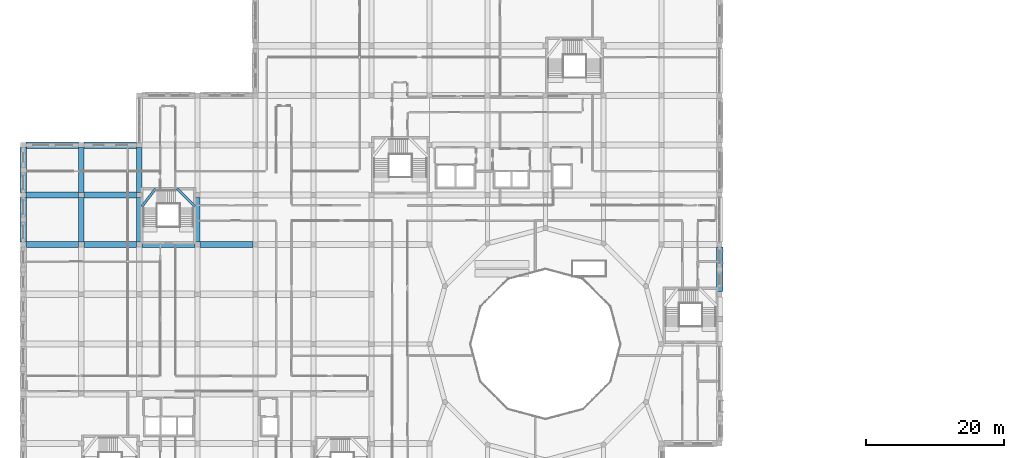
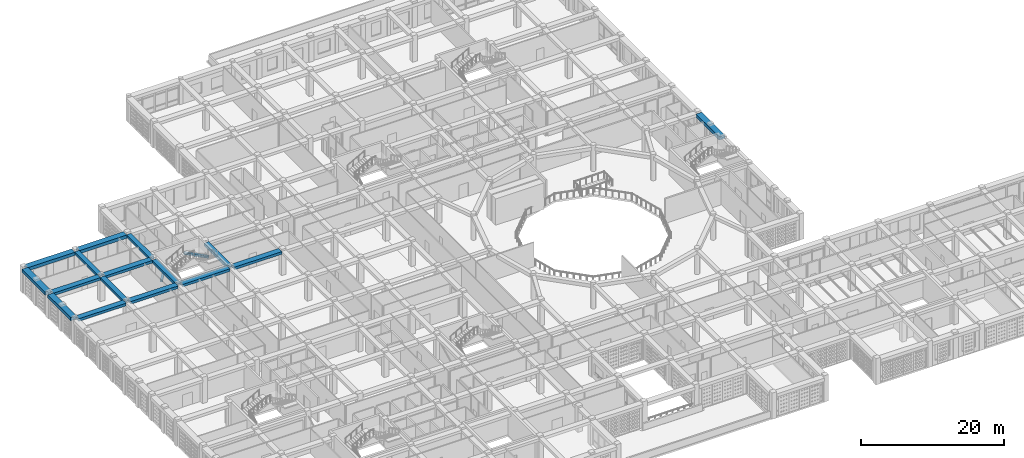
# One storey, part 31 of 111: 18 beams.
"""IFC4 building model written with IfcOpenShell, lengths in metres."""

import ifcopenshell
import ifcopenshell.guid

model = None  # the IFC model being written
_history = None  # IfcOwnerHistory: only IFC2X3 demands one
_inside = {}  # id of a spatial element -> (the spatial element, [elements in it])
_under = {}  # id of a project, library or spatial element -> (it, [spatial elements below it])
_declared = {}  # id of a project -> (the project, [libraries it declares])
_typed = {}  # id of a type object -> (the type object, [elements of that type])
_made_of = {}  # id of a material, layer set ... -> (it, [elements and type objects made of it])


def new_model(schema):
    """Start an empty IFC model of exactly this schema.

    Asked for "IFC4X3", IfcOpenShell would pick the latest addendum, in which some entities
    have other attributes; the version numbers below select the first issue.
    IFC2X3 requires an IfcOwnerHistory on every rooted entity: one is made here for all.
    """
    global model, _history
    if schema == "IFC4X3":
        model = ifcopenshell.file(schema_version=(4, 3, 0, 0))
    else:
        model = ifcopenshell.file(schema=schema)
    _inside.clear()
    _under.clear()
    _declared.clear()
    _typed.clear()
    _made_of.clear()
    _history = None
    if model.schema == "IFC2X3":
        org = make("IfcOrganization", Name="unknown")
        user = make(
            "IfcPersonAndOrganization",
            ThePerson=make("IfcPerson", FamilyName="unknown"),
            TheOrganization=org,
        )
        app = make(
            "IfcApplication",
            ApplicationDeveloper=org,
            Version="unknown",
            ApplicationFullName="unknown",
            ApplicationIdentifier="unknown",
        )
        _history = make(
            "IfcOwnerHistory",
            OwningUser=user,
            OwningApplication=app,
            ChangeAction="ADDED",
            CreationDate=0,
        )
    return model


def make(cls, **values):
    """One entity of the class cls with the attributes given. An attribute that is None is left unset."""
    return model.create_entity(
        cls, **{name: value for name, value in values.items() if value is not None}
    )


def rooted(cls, **values):
    """An entity with a GlobalId (a new one), such as an element, a storey or a relation."""
    return make(cls, GlobalId=ifcopenshell.guid.new(), OwnerHistory=_history, **values)


def si_unit(unit_type, name, prefix=None):
    """IfcSIUnit, for example si_unit("LENGTHUNIT", "METRE", prefix="MILLI")."""
    return make("IfcSIUnit", UnitType=unit_type, Prefix=prefix, Name=name)


def derived_unit(unit_type, elements):
    """IfcDerivedUnit: a product of units, each with its exponent."""
    return make(
        "IfcDerivedUnit",
        Elements=[
            make("IfcDerivedUnitElement", Unit=unit, Exponent=power)
            for unit, power in elements
        ],
        UnitType=unit_type,
    )


def assignment(units):
    """IfcUnitAssignment: the units of a project."""
    return None if units is None else make("IfcUnitAssignment", Units=units)


def point(xyz):
    """IfcCartesianPoint."""
    return None if xyz is None else make("IfcCartesianPoint", Coordinates=xyz)


def direction(xyz):
    """IfcDirection."""
    return None if xyz is None else make("IfcDirection", DirectionRatios=xyz)


def frame(location, z_axis=None, x_axis=None):
    """IfcAxis2Placement3D, a coordinate frame: its origin and axes. An axis left out is left unset."""
    return make(
        "IfcAxis2Placement3D",
        Location=point(location),
        Axis=direction(z_axis),
        RefDirection=direction(x_axis),
    )


def frame_2d(location, x_axis=None):
    """IfcAxis2Placement2D, a coordinate frame in the plane: its origin and x axis."""
    return make(
        "IfcAxis2Placement2D", Location=point(location), RefDirection=direction(x_axis)
    )


def origin():
    """The frame at (0, 0, 0) with its axes left unset."""
    return frame((0.0, 0.0, 0.0))


def origin_2d():
    """The frame at (0, 0) in the plane with its x axis left unset."""
    return frame_2d((0.0, 0.0))


def place(relative_to, where):
    """IfcLocalPlacement: puts the frame where relative to a parent placement (None: the world)."""
    return make(
        "IfcLocalPlacement", PlacementRelTo=relative_to, RelativePlacement=where
    )


def context(
    kind, dimensions, precision=None, world=None, true_north=None, identifier=None
):
    """IfcGeometricRepresentationContext, for example the 3D "Model" context."""
    return make(
        "IfcGeometricRepresentationContext",
        ContextIdentifier=identifier,
        ContextType=kind,
        CoordinateSpaceDimension=dimensions,
        Precision=precision,
        WorldCoordinateSystem=world,
        TrueNorth=true_north,
    )


def subcontext(parent, identifier, kind, view, scale=None):
    """IfcGeometricRepresentationSubContext, for example "Body" below "Model"."""
    return make(
        "IfcGeometricRepresentationSubContext",
        ContextIdentifier=identifier,
        ContextType=kind,
        ParentContext=parent,
        TargetScale=scale,
        TargetView=view,
    )


def project(units=None, contexts=None):
    """IfcProject with its units and contexts."""
    return rooted(
        "IfcProject",
        Name="project",
        RepresentationContexts=contexts,
        UnitsInContext=assignment(units),
    )


def spatial(cls, under=None, at=None, **own):
    """A site, building, storey or space (cls), placed at a placement, below another one or the project."""
    s = rooted(cls, ObjectPlacement=at, **own)
    if under is not None:
        _under.setdefault(under.id(), (under, []))[1].append(s)
    return s


def profile(cls, at=None, kind="AREA", **sizes):
    """A parametric profile (cls). Its sizes go by their IFC names, for example OverallWidth=200.0."""
    return make(cls, ProfileType=kind, Position=at, **sizes)


def rectangle(**sizes):
    """IfcRectangleProfileDef."""
    return profile("IfcRectangleProfileDef", **sizes)


def extrude(swept, where, along, depth):
    """IfcExtrudedAreaSolid: the profile swept, set in the frame where, extruded along a direction by depth."""
    return make(
        "IfcExtrudedAreaSolid",
        SweptArea=swept,
        Position=where,
        ExtrudedDirection=direction(along),
        Depth=depth,
    )


def shape(context_of_items, identifier, shape_type, items):
    """IfcShapeRepresentation: the items that make up one representation, for example the "Body"."""
    return make(
        "IfcShapeRepresentation",
        ContextOfItems=context_of_items,
        RepresentationIdentifier=identifier,
        RepresentationType=shape_type,
        Items=items,
    )


def material(Name=None, Category=None):
    """IfcMaterial."""
    return make("IfcMaterial", Name=Name, Category=Category)


def material_profile(
    of_material, cross_section, Name=None, Category=None, Priority=None
):
    """IfcMaterialProfile: a cross section and its material."""
    return make(
        "IfcMaterialProfile",
        Name=Name,
        Material=of_material,
        Profile=cross_section,
        Priority=Priority,
        Category=Category,
    )


def profile_set(profiles, Name=None, composite=None):
    """IfcMaterialProfileSet."""
    return make(
        "IfcMaterialProfileSet",
        Name=Name,
        MaterialProfiles=profiles,
        CompositeProfile=composite,
    )


def made_of(thing, what):
    """Note that an element or type object is made of a material, layer set ...; save() writes the relation."""
    if what is not None:
        _made_of.setdefault(what.id(), (what, []))[1].append(thing)
    return thing


def type_object(cls, material=None, **own):
    """A type object (cls), such as IfcWallType, which elements share."""
    return made_of(rooted(cls, **own), material)


def element(
    cls,
    number,
    at=None,
    inside=None,
    cuts=None,
    type_object=None,
    material=None,
    context=None,
    identifier="Body",
    shape_type=None,
    held_by="IfcProductDefinitionShape",
    body=None,
    shapes=None,
    **own,
):
    """One element of the class cls, such as IfcWall. Its Tag is "e" and its number.

    at: its placement. inside: the storey or other place that contains it. cuts: it is an
    opening in that element (IfcRelVoidsElement). A single representation is given by context,
    identifier, shape_type and body (its items); several are given by shapes. held_by: the class
    of the entity that holds the representations. save() writes the other relations.
    """
    e = rooted(cls, Tag="e%d" % number, ObjectPlacement=at, **own)
    if body is not None:
        shapes = [shape(context, identifier, shape_type, body)]
    if shapes is not None:
        e.Representation = make(held_by, Representations=shapes)
    if inside is not None:
        _inside.setdefault(inside.id(), (inside, []))[1].append(e)
    if cuts is not None:
        rooted(
            "IfcRelVoidsElement", RelatingBuildingElement=cuts, RelatedOpeningElement=e
        )
    if type_object is not None:
        _typed.setdefault(type_object.id(), (type_object, []))[1].append(e)
    return made_of(e, material)


def aggregate(whole, parts):
    """IfcRelAggregates: a whole, such as a stair, and the parts it consists of."""
    return rooted("IfcRelAggregates", RelatingObject=whole, RelatedObjects=parts)


def save(model, path):
    """Write the relations noted so far, then the file.

    IfcRelAggregates (storeys below a building ...), IfcRelContainedInSpatialStructure (elements
    in a storey), IfcRelDefinesByType, IfcRelAssociatesMaterial and IfcRelDeclares: one each for
    every whole, place, type object, material and project.
    """
    for whole, parts in _under.values():
        aggregate(whole, parts)
    for where, things in _inside.values():
        rooted(
            "IfcRelContainedInSpatialStructure",
            RelatedElements=things,
            RelatingStructure=where,
        )
    for kind, things in _typed.values():
        rooted("IfcRelDefinesByType", RelatedObjects=things, RelatingType=kind)
    for what, things in _made_of.values():
        rooted("IfcRelAssociatesMaterial", RelatedObjects=things, RelatingMaterial=what)
    for by, libraries in _declared.values():
        rooted("IfcRelDeclares", RelatingContext=by, RelatedDefinitions=libraries)
    model.write(path)


model = new_model("IFC4")

# Units and contexts
model_context = context("Model", 3, precision=1e-05, world=origin(), true_north=direction((0.0, 1.0)))
body_context = subcontext(model_context, "Body", "Model", "MODEL_VIEW")
ifc_project = project(units=[si_unit("LENGTHUNIT", "METRE"), si_unit("AREAUNIT", "SQUARE_METRE"), si_unit("VOLUMEUNIT", "CUBIC_METRE"), si_unit("PLANEANGLEUNIT", "RADIAN"), si_unit("MASSUNIT", "GRAM", prefix="KILO"), derived_unit("THERMALTRANSMITTANCEUNIT", [(si_unit("POWERUNIT", "WATT"), 1), (si_unit("LENGTHUNIT", "METRE"), -2), (si_unit("THERMODYNAMICTEMPERATUREUNIT", "KELVIN"), -1)])], contexts=[model_context])

# Site, building, storey
site_placement = place(None, origin())
site = spatial("IfcSite", under=ifc_project, at=site_placement, CompositionType="ELEMENT")
building_placement = place(site_placement, origin())
building = spatial("IfcBuilding", under=site, at=building_placement, Name="Veybourne Emporium", CompositionType="ELEMENT")
storey_placement = place(building_placement, frame((0.0, 0.0, 9.89990234375)))
storey = spatial("IfcBuildingStorey", under=building, at=storey_placement, Name="L02", CompositionType="ELEMENT", Elevation=9.89990234375)

# Beams
ifc_material = material(Name="Concrete C32/40", Category="concrete")
ifc_material_profile_1 = material_profile(ifc_material, rectangle(XDim=0.35009765625, YDim=0.35009765625, at=origin_2d()), Name="RC 350x350")
ifc_profile_set_1 = profile_set([ifc_material_profile_1], Name="Concrete C32/40")
beam_type_1 = type_object("IfcBeamType", Name="LandingBeam_LB-01", PredefinedType="BEAM", material=ifc_profile_set_1)
beam_1_placement = place(storey_placement, frame((17.175048828125, 70.320068359375, 1.125), z_axis=(0.607658538115, 0.79419840157, 0.0), x_axis=(-0.79419840157, 0.607658538115, 0.0)))
element("IfcBeam", 1, at=beam_1_placement, inside=storey, type_object=beam_type_1, Name="L02 ST-08 landing 1 support beam", PredefinedType="BEAM", context=body_context, shape_type="SweptSolid", body=[
    extrude(rectangle(XDim=0.35009765625, YDim=0.35009765625, at=origin_2d()), origin(), (0.0, 0.0, 1.0), 3.217041015625),
])
beam_2_placement = place(storey_placement, frame((22.27001953125, 72.875, 2.625), z_axis=(0.707106781187, -0.707106781187, 0.0), x_axis=(0.707106781187, 0.707106781187, 0.0)))
element("IfcBeam", 2, at=beam_2_placement, inside=storey, type_object=beam_type_1, Name="L02 ST-08 landing 2 support beam", PredefinedType="BEAM", context=body_context, shape_type="SweptSolid", body=[
    extrude(rectangle(XDim=0.35009765625, YDim=0.35009765625, at=origin_2d()), origin(), (0.0, 0.0, 1.0), 3.61328125),
])
ifc_material_profile_2 = material_profile(ifc_material, rectangle(XDim=0.89990234375, YDim=0.449951171875, at=origin_2d()), Name="RC 900x450")
ifc_profile_set_2 = profile_set([ifc_material_profile_2], Name="Concrete C32/40")
beam_type_2 = type_object("IfcBeamType", Name="RCBeam_BB-03", PredefinedType="BEAM", material=ifc_profile_set_2)
for number, where, z_axis, x_axis, name in (
    (3, (0.375, 64.800048828125, 3.955078125), (1.0, 0.0, 0.0), (0.0, 1.0, 0.0), "L02 X-grid beam BB-03 (0,9)"),
    (4, (0.375, 72.0, 3.955078125), (1.0, 0.0, 0.0), (0.0, 1.0, 0.0), "L02 X-grid beam BB-03 (0,10)"),
):
    element("IfcBeam", number, at=place(storey_placement, frame(where, z_axis=z_axis, x_axis=x_axis)), inside=storey, type_object=beam_type_2, Name=name, PredefinedType="BEAM", context=body_context, shape_type="SweptSolid", body=[
        extrude(rectangle(XDim=0.89990234375, YDim=0.449951171875, at=origin_2d()), origin(), (0.0, 0.0, 1.0), 7.64990234375),
    ])
for number, where, z_axis, x_axis, name in (
    (5, (8.77490234375, 64.800048828125, 3.955078125), (1.0, 0.0, 0.0), (0.0, 1.0, 0.0), "L02 X-grid beam BB-03 (1,9)"),
    (6, (8.77490234375, 72.0, 3.955078125), (1.0, 0.0, 0.0), (0.0, 1.0, 0.0), "L02 X-grid beam BB-03 (1,10)"),
):
    element("IfcBeam", number, at=place(storey_placement, frame(where, z_axis=z_axis, x_axis=x_axis)), inside=storey, type_object=beam_type_2, Name=name, PredefinedType="BEAM", context=body_context, shape_type="SweptSolid", body=[
        extrude(rectangle(XDim=0.89990234375, YDim=0.449951171875, at=origin_2d()), origin(), (0.0, 0.0, 1.0), 7.650146484375),
    ])
beam_3_placement = place(storey_placement, frame((17.175048828125, 64.800048828125, 3.955078125), z_axis=(1.0, 0.0, 0.0), x_axis=(0.0, 1.0, 0.0)))
element("IfcBeam", 7, at=beam_3_placement, inside=storey, type_object=beam_type_2, Name="L02 X-grid beam BB-03 (2,9)", PredefinedType="BEAM", context=body_context, shape_type="SweptSolid", body=[
    extrude(rectangle(XDim=0.89990234375, YDim=0.449951171875, at=origin_2d()), origin(), (0.0, 0.0, 1.0), 7.64990234375),
])
beam_4_placement = place(storey_placement, frame((25.574951171875, 64.800048828125, 3.955078125), z_axis=(1.0, 0.0, 0.0), x_axis=(0.0, 1.0, 0.0)))
element("IfcBeam", 8, at=beam_4_placement, inside=storey, type_object=beam_type_2, Name="L02 X-grid beam BB-03 (3,9)", PredefinedType="BEAM", context=body_context, shape_type="SweptSolid", body=[
    extrude(rectangle(XDim=0.89990234375, YDim=0.449951171875, at=origin_2d()), origin(), (0.0, 0.0, 1.0), 7.650146484375),
])
ifc_material_profile_3 = material_profile(ifc_material, rectangle(XDim=0.75, YDim=0.449951171875, at=origin_2d()), Name="RC 750x450")
ifc_profile_set_3 = profile_set([ifc_material_profile_3], Name="Concrete C32/40")
beam_type_3 = type_object("IfcBeamType", Name="RCBeam_BB-04", PredefinedType="BEAM", material=ifc_profile_set_3)
for number, where, z_axis, x_axis, name in (
    (9, (8.39990234375, 65.175048828125, 3.955078125), (0.0, 1.0, 0.0), (-1.0, 0.0, 0.0), "L02 Y-grid beam BB-04 (1,9)"),
    (10, (8.39990234375, 72.375, 3.955078125), (0.0, 1.0, 0.0), (-1.0, 0.0, 0.0), "L02 Y-grid beam BB-04 (1,10)"),
    (11, (16.800048828125, 65.175048828125, 3.955078125), (0.0, 1.0, 0.0), (-1.0, 0.0, 0.0), "L02 Y-grid beam BB-04 (2,9)"),
    (12, (16.800048828125, 72.375, 3.955078125), (0.0, 1.0, 0.0), (-1.0, 0.0, 0.0), "L02 Y-grid beam BB-04 (2,10)"),
    (13, (25.199951171875, 65.175048828125, 3.955078125), (0.0, 1.0, 0.0), (-1.0, 0.0, 0.0), "L02 Y-grid beam BB-04 (3,9)"),
):
    element("IfcBeam", number, at=place(storey_placement, frame(where, z_axis=z_axis, x_axis=x_axis)), inside=storey, type_object=beam_type_3, Name=name, PredefinedType="BEAM", context=body_context, shape_type="SweptSolid", body=[
        extrude(rectangle(XDim=0.75, YDim=0.449951171875, at=origin_2d()), origin(), (0.0, 0.0, 1.0), 6.449951171875),
    ])
ifc_material_profile_4 = material_profile(ifc_material, rectangle(XDim=0.949951171875, YDim=0.550048828125, at=origin_2d()), Name="RC 950x550")
ifc_profile_set_4 = profile_set([ifc_material_profile_4], Name="Concrete C32/40")
beam_type_4 = type_object("IfcBeamType", Name="RCBeam_EB-01", PredefinedType="SPANDREL", material=ifc_profile_set_4)
beam_5_placement = place(storey_placement, frame((0.375, 79.199951171875, 3.905029296875), z_axis=(1.0, 0.0, 0.0), x_axis=(0.0, 1.0, 0.0)))
element("IfcBeam", 14, at=beam_5_placement, inside=storey, type_object=beam_type_4, Name="L02 X-grid beam EB-01 (0,11)", PredefinedType="SPANDREL", context=body_context, shape_type="SweptSolid", body=[
    extrude(rectangle(XDim=0.949951171875, YDim=0.550048828125, at=origin_2d()), origin(), (0.0, 0.0, 1.0), 7.64990234375),
])
beam_6_placement = place(storey_placement, frame((8.77490234375, 79.199951171875, 3.905029296875), z_axis=(1.0, 0.0, 0.0), x_axis=(0.0, 1.0, 0.0)))
element("IfcBeam", 15, at=beam_6_placement, inside=storey, type_object=beam_type_4, Name="L02 X-grid beam EB-01 (1,11)", PredefinedType="SPANDREL", context=body_context, shape_type="SweptSolid", body=[
    extrude(rectangle(XDim=0.949951171875, YDim=0.550048828125, at=origin_2d()), origin(), (0.0, 0.0, 1.0), 7.650146484375),
])
for number, where, z_axis, x_axis, name in (
    (16, (0.0, 65.175048828125, 3.905029296875), (0.0, 1.0, 0.0), (-1.0, 0.0, 0.0), "L02 Y-grid beam EB-01 (0,9)"),
    (17, (0.0, 72.375, 3.905029296875), (0.0, 1.0, 0.0), (-1.0, 0.0, 0.0), "L02 Y-grid beam EB-01 (0,10)"),
    (18, (100.800048828125, 57.97509765625, 3.905029296875), (0.0, 1.0, 0.0), (-1.0, 0.0, 0.0), "L02 Y-grid beam EB-01 (12,8)"),
):
    element("IfcBeam", number, at=place(storey_placement, frame(where, z_axis=z_axis, x_axis=x_axis)), inside=storey, type_object=beam_type_4, Name=name, PredefinedType="SPANDREL", context=body_context, shape_type="SweptSolid", body=[
        extrude(rectangle(XDim=0.949951171875, YDim=0.550048828125, at=origin_2d()), origin(), (0.0, 0.0, 1.0), 6.449951171875),
    ])

save(model, "model.ifc")
